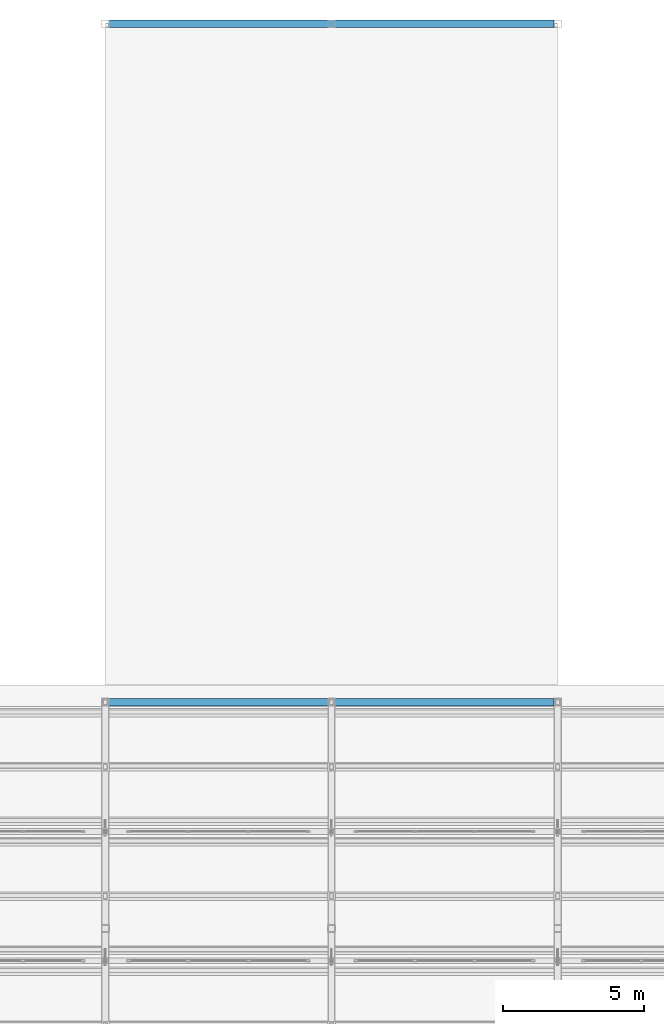
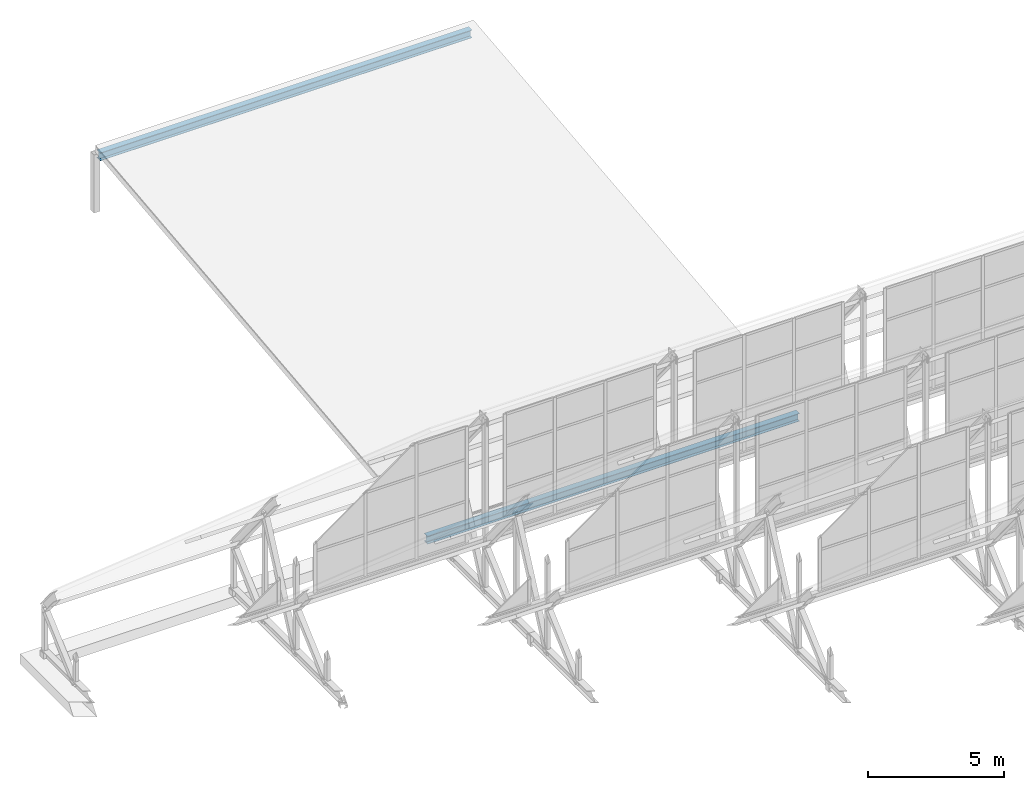
# One storey, part 24 of 34: 2 beams.
"""IFC4 building model written with IfcOpenShell, lengths in metres."""

from ifc_helpers import new_model, si_unit, direction, frame, origin, origin_2d, place, context, subcontext, project, spatial, i_section, extrude, material, material_profile, profile_set, type_object, element, save


model = new_model("IFC4")

# Units and contexts
model_context = context("Model", 3, precision=1e-05, world=origin(), true_north=direction((0.0, 1.0)))
body_context = subcontext(model_context, "Body", "Model", "MODEL_VIEW")
ifc_project = project(units=[si_unit("LENGTHUNIT", "METRE"), si_unit("AREAUNIT", "SQUARE_METRE"), si_unit("VOLUMEUNIT", "CUBIC_METRE"), si_unit("PLANEANGLEUNIT", "RADIAN"), si_unit("MASSUNIT", "GRAM", prefix="KILO")], contexts=[model_context])

# Site, building, storey
site_placement = place(None, origin())
site = spatial("IfcSite", under=ifc_project, at=site_placement, CompositionType="ELEMENT")
building_placement = place(site_placement, origin())
building = spatial("IfcBuilding", under=site, at=building_placement, Name="Qorikala Patio Media Centre", CompositionType="ELEMENT")
storey_placement = place(building_placement, frame((0.0, 0.0, 32.699951171875)))
storey = spatial("IfcBuildingStorey", under=building, at=storey_placement, Name="RF", CompositionType="ELEMENT", Elevation=32.699951171875)

# Beams
ifc_material = material(Name="Steel S355", Category="steel")
ifc_material_profile = material_profile(ifc_material, i_section(OverallWidth=0.25390625, OverallDepth=0.35302734375, WebThickness=0.009521484375, FlangeThickness=0.016357421875, at=origin_2d()), Name="W360X91")
ifc_profile_set = profile_set([ifc_material_profile], Name="Steel S355")
beam_type = type_object("IfcBeamType", Name="SBM-W360X91-EXT", PredefinedType="BEAM", material=ifc_profile_set)
for number, where, z_axis, x_axis, name in (
    (1, (19.1298828125, 35.0, -0.179931640625), (1.0, 0.0, 0.0), (0.0, 1.0, 0.0), "Screen Pavilion South Eave Girder"),
    (2, (19.1298828125, 59.0, 2.420166015625), (1.0, 0.0, 0.0), (0.0, 1.0, 0.0), "Screen Pavilion North Ridge Girder"),
):
    element("IfcBeam", number, at=place(storey_placement, frame(where, z_axis=z_axis, x_axis=x_axis)), inside=storey, type_object=beam_type, Name=name, PredefinedType="BEAM", context=body_context, shape_type="SweptSolid", body=[
        extrude(i_section(OverallWidth=0.25390625, OverallDepth=0.35302734375, WebThickness=0.009521484375, FlangeThickness=0.016357421875, at=origin_2d()), origin(), (0.0, 0.0, 1.0), 15.740234375),
    ])

save(model, "model.ifc")
